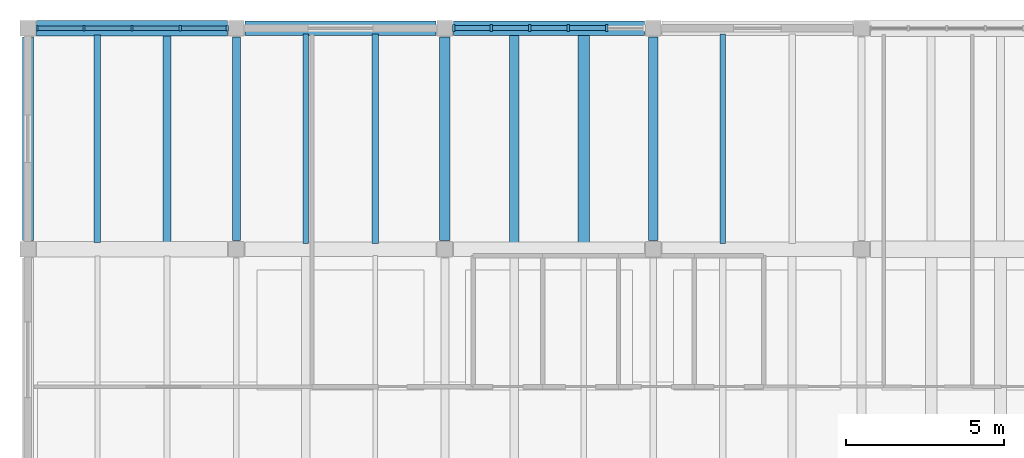
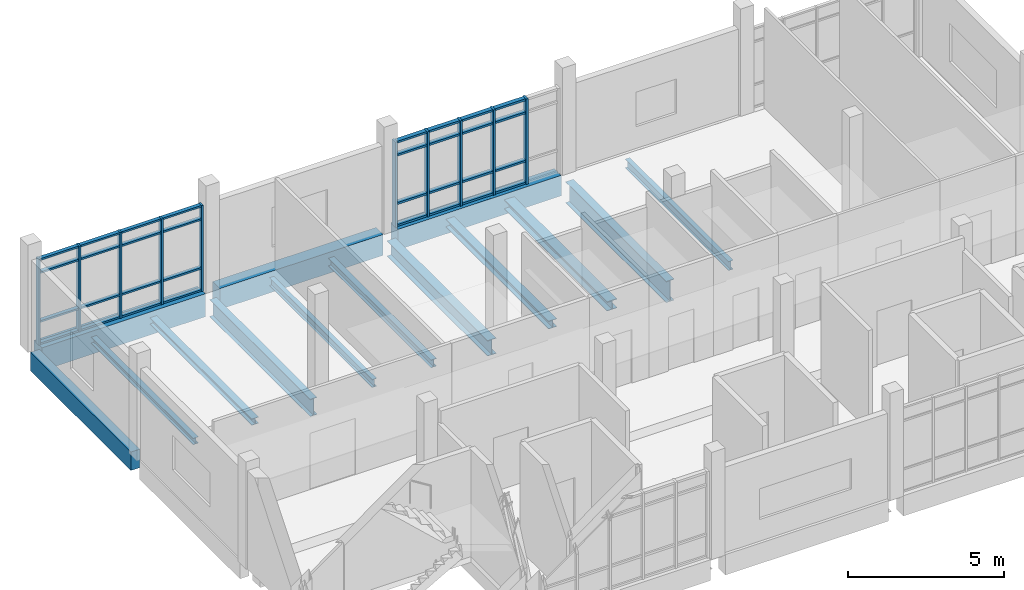
# One storey, part 3 of 10: 42 members, 14 beams, 2 elements without a shape of their own.
"""IFC4 building model written with IfcOpenShell, lengths in metres."""

import ifcopenshell
import ifcopenshell.guid

model = None  # the IFC model being written
_history = None  # IfcOwnerHistory: only IFC2X3 demands one
_inside = {}  # id of a spatial element -> (the spatial element, [elements in it])
_under = {}  # id of a project, library or spatial element -> (it, [spatial elements below it])
_declared = {}  # id of a project -> (the project, [libraries it declares])
_typed = {}  # id of a type object -> (the type object, [elements of that type])
_made_of = {}  # id of a material, layer set ... -> (it, [elements and type objects made of it])


def new_model(schema):
    """Start an empty IFC model of exactly this schema.

    Asked for "IFC4X3", IfcOpenShell would pick the latest addendum, in which some entities
    have other attributes; the version numbers below select the first issue.
    IFC2X3 requires an IfcOwnerHistory on every rooted entity: one is made here for all.
    """
    global model, _history
    if schema == "IFC4X3":
        model = ifcopenshell.file(schema_version=(4, 3, 0, 0))
    else:
        model = ifcopenshell.file(schema=schema)
    _inside.clear()
    _under.clear()
    _declared.clear()
    _typed.clear()
    _made_of.clear()
    _history = None
    if model.schema == "IFC2X3":
        org = make("IfcOrganization", Name="unknown")
        user = make(
            "IfcPersonAndOrganization",
            ThePerson=make("IfcPerson", FamilyName="unknown"),
            TheOrganization=org,
        )
        app = make(
            "IfcApplication",
            ApplicationDeveloper=org,
            Version="unknown",
            ApplicationFullName="unknown",
            ApplicationIdentifier="unknown",
        )
        _history = make(
            "IfcOwnerHistory",
            OwningUser=user,
            OwningApplication=app,
            ChangeAction="ADDED",
            CreationDate=0,
        )
    return model


def make(cls, **values):
    """One entity of the class cls with the attributes given. An attribute that is None is left unset."""
    return model.create_entity(
        cls, **{name: value for name, value in values.items() if value is not None}
    )


def rooted(cls, **values):
    """An entity with a GlobalId (a new one), such as an element, a storey or a relation."""
    return make(cls, GlobalId=ifcopenshell.guid.new(), OwnerHistory=_history, **values)


def si_unit(unit_type, name, prefix=None):
    """IfcSIUnit, for example si_unit("LENGTHUNIT", "METRE", prefix="MILLI")."""
    return make("IfcSIUnit", UnitType=unit_type, Prefix=prefix, Name=name)


def assignment(units):
    """IfcUnitAssignment: the units of a project."""
    return None if units is None else make("IfcUnitAssignment", Units=units)


def point(xyz):
    """IfcCartesianPoint."""
    return None if xyz is None else make("IfcCartesianPoint", Coordinates=xyz)


def direction(xyz):
    """IfcDirection."""
    return None if xyz is None else make("IfcDirection", DirectionRatios=xyz)


def frame(location, z_axis=None, x_axis=None):
    """IfcAxis2Placement3D, a coordinate frame: its origin and axes. An axis left out is left unset."""
    return make(
        "IfcAxis2Placement3D",
        Location=point(location),
        Axis=direction(z_axis),
        RefDirection=direction(x_axis),
    )


def frame_2d(location, x_axis=None):
    """IfcAxis2Placement2D, a coordinate frame in the plane: its origin and x axis."""
    return make(
        "IfcAxis2Placement2D", Location=point(location), RefDirection=direction(x_axis)
    )


def origin():
    """The frame at (0, 0, 0) with its axes left unset."""
    return frame((0.0, 0.0, 0.0))


def origin_2d():
    """The frame at (0, 0) in the plane with its x axis left unset."""
    return frame_2d((0.0, 0.0))


def place(relative_to, where):
    """IfcLocalPlacement: puts the frame where relative to a parent placement (None: the world)."""
    return make(
        "IfcLocalPlacement", PlacementRelTo=relative_to, RelativePlacement=where
    )


def context(
    kind, dimensions, precision=None, world=None, true_north=None, identifier=None
):
    """IfcGeometricRepresentationContext, for example the 3D "Model" context."""
    return make(
        "IfcGeometricRepresentationContext",
        ContextIdentifier=identifier,
        ContextType=kind,
        CoordinateSpaceDimension=dimensions,
        Precision=precision,
        WorldCoordinateSystem=world,
        TrueNorth=true_north,
    )


def subcontext(parent, identifier, kind, view, scale=None):
    """IfcGeometricRepresentationSubContext, for example "Body" below "Model"."""
    return make(
        "IfcGeometricRepresentationSubContext",
        ContextIdentifier=identifier,
        ContextType=kind,
        ParentContext=parent,
        TargetScale=scale,
        TargetView=view,
    )


def project(units=None, contexts=None):
    """IfcProject with its units and contexts."""
    return rooted(
        "IfcProject",
        Name="project",
        RepresentationContexts=contexts,
        UnitsInContext=assignment(units),
    )


def spatial(cls, under=None, at=None, **own):
    """A site, building, storey or space (cls), placed at a placement, below another one or the project."""
    s = rooted(cls, ObjectPlacement=at, **own)
    if under is not None:
        _under.setdefault(under.id(), (under, []))[1].append(s)
    return s


def profile(cls, at=None, kind="AREA", **sizes):
    """A parametric profile (cls). Its sizes go by their IFC names, for example OverallWidth=200.0."""
    return make(cls, ProfileType=kind, Position=at, **sizes)


def rectangle(**sizes):
    """IfcRectangleProfileDef."""
    return profile("IfcRectangleProfileDef", **sizes)


def i_section(**sizes):
    """IfcIShapeProfileDef."""
    return profile("IfcIShapeProfileDef", **sizes)


def extrude(swept, where, along, depth):
    """IfcExtrudedAreaSolid: the profile swept, set in the frame where, extruded along a direction by depth."""
    return make(
        "IfcExtrudedAreaSolid",
        SweptArea=swept,
        Position=where,
        ExtrudedDirection=direction(along),
        Depth=depth,
    )


def shape(context_of_items, identifier, shape_type, items):
    """IfcShapeRepresentation: the items that make up one representation, for example the "Body"."""
    return make(
        "IfcShapeRepresentation",
        ContextOfItems=context_of_items,
        RepresentationIdentifier=identifier,
        RepresentationType=shape_type,
        Items=items,
    )


def material(Name=None, Category=None):
    """IfcMaterial."""
    return make("IfcMaterial", Name=Name, Category=Category)


def material_profile(
    of_material, cross_section, Name=None, Category=None, Priority=None
):
    """IfcMaterialProfile: a cross section and its material."""
    return make(
        "IfcMaterialProfile",
        Name=Name,
        Material=of_material,
        Profile=cross_section,
        Priority=Priority,
        Category=Category,
    )


def profile_set(profiles, Name=None, composite=None):
    """IfcMaterialProfileSet."""
    return make(
        "IfcMaterialProfileSet",
        Name=Name,
        MaterialProfiles=profiles,
        CompositeProfile=composite,
    )


def made_of(thing, what):
    """Note that an element or type object is made of a material, layer set ...; save() writes the relation."""
    if what is not None:
        _made_of.setdefault(what.id(), (what, []))[1].append(thing)
    return thing


def type_object(cls, material=None, **own):
    """A type object (cls), such as IfcWallType, which elements share."""
    return made_of(rooted(cls, **own), material)


def element(
    cls,
    number,
    at=None,
    inside=None,
    cuts=None,
    type_object=None,
    material=None,
    context=None,
    identifier="Body",
    shape_type=None,
    held_by="IfcProductDefinitionShape",
    body=None,
    shapes=None,
    **own,
):
    """One element of the class cls, such as IfcWall. Its Tag is "e" and its number.

    at: its placement. inside: the storey or other place that contains it. cuts: it is an
    opening in that element (IfcRelVoidsElement). A single representation is given by context,
    identifier, shape_type and body (its items); several are given by shapes. held_by: the class
    of the entity that holds the representations. save() writes the other relations.
    """
    e = rooted(cls, Tag="e%d" % number, ObjectPlacement=at, **own)
    if body is not None:
        shapes = [shape(context, identifier, shape_type, body)]
    if shapes is not None:
        e.Representation = make(held_by, Representations=shapes)
    if inside is not None:
        _inside.setdefault(inside.id(), (inside, []))[1].append(e)
    if cuts is not None:
        rooted(
            "IfcRelVoidsElement", RelatingBuildingElement=cuts, RelatedOpeningElement=e
        )
    if type_object is not None:
        _typed.setdefault(type_object.id(), (type_object, []))[1].append(e)
    return made_of(e, material)


def aggregate(whole, parts):
    """IfcRelAggregates: a whole, such as a stair, and the parts it consists of."""
    return rooted("IfcRelAggregates", RelatingObject=whole, RelatedObjects=parts)


def save(model, path):
    """Write the relations noted so far, then the file.

    IfcRelAggregates (storeys below a building ...), IfcRelContainedInSpatialStructure (elements
    in a storey), IfcRelDefinesByType, IfcRelAssociatesMaterial and IfcRelDeclares: one each for
    every whole, place, type object, material and project.
    """
    for whole, parts in _under.values():
        aggregate(whole, parts)
    for where, things in _inside.values():
        rooted(
            "IfcRelContainedInSpatialStructure",
            RelatedElements=things,
            RelatingStructure=where,
        )
    for kind, things in _typed.values():
        rooted("IfcRelDefinesByType", RelatedObjects=things, RelatingType=kind)
    for what, things in _made_of.values():
        rooted("IfcRelAssociatesMaterial", RelatedObjects=things, RelatingMaterial=what)
    for by, libraries in _declared.values():
        rooted("IfcRelDeclares", RelatingContext=by, RelatedDefinitions=libraries)
    model.write(path)


model = new_model("IFC4")

# Units and contexts
model_context = context("Model", 3, precision=1e-05, world=origin(), true_north=direction((0.0, 1.0)))
body_context = subcontext(model_context, "Body", "Model", "MODEL_VIEW")
ifc_project = project(units=[si_unit("LENGTHUNIT", "METRE"), si_unit("AREAUNIT", "SQUARE_METRE"), si_unit("VOLUMEUNIT", "CUBIC_METRE"), si_unit("PLANEANGLEUNIT", "RADIAN"), si_unit("MASSUNIT", "GRAM", prefix="KILO")], contexts=[model_context])

# Site, building, storey
site_placement = place(None, origin())
site = spatial("IfcSite", under=ifc_project, at=site_placement, CompositionType="ELEMENT")
building_placement = place(site_placement, origin())
building = spatial("IfcBuilding", under=site, at=building_placement, Name="Ciguamira Faculty of Natural Sciences", CompositionType="ELEMENT")
storey_placement = place(building_placement, frame((0.0, 0.0, 42.0)))
storey = spatial("IfcBuildingStorey", under=building, at=storey_placement, Name="L10", CompositionType="ELEMENT", Elevation=42.0)

# Curtain wall, members
ifc_material_1 = material(Name="Anodized aluminium curtain wall", Category="aluminium")
curtain_wall_type_1 = type_object("IfcCurtainWallType", Name="CurtainWall_CW-11", PredefinedType="USERDEFINED", material=ifc_material_1)
curtain_wall_1_placement = place(storey_placement, origin())
curtain_wall_1 = element("IfcCurtainWall", 1, at=curtain_wall_1_placement, inside=storey, type_object=curtain_wall_type_1, Name="L10 unitised curtain wall 0167", ObjectType="UNITISED CURTAIN WALL", PredefinedType="USERDEFINED")
ifc_material_2 = material(Name="Anodized aluminium mullion", Category="aluminium")
ifc_material_profile_1 = material_profile(ifc_material_2, rectangle(XDim=0.070068359375, YDim=0.179931640625, at=origin_2d()), Name="ALU-MUL-70X180")
ifc_profile_set_1 = profile_set([ifc_material_profile_1], Name="Anodized aluminium mullion")
member_type_1 = type_object("IfcMemberType", Name="CWMullion_CWM-02", PredefinedType="MULLION", material=ifc_profile_set_1)
member_1_placement = place(storey_placement, frame((70.784912109375, 115.0, 0.0), z_axis=(0.0, 0.0, 1.0), x_axis=(1.0, 0.0, 0.0)))
member_1 = element("IfcMember", 2, at=member_1_placement, type_object=member_type_1, Name="CW-11 mullion 1", PredefinedType="MULLION", context=body_context, shape_type="SweptSolid", body=[
    extrude(rectangle(XDim=0.070068359375, YDim=0.179931640625, at=origin_2d()), origin(), (0.0, 0.0, 1.0), 3.364990234375),
])
member_2_placement = place(storey_placement, frame((72.27490234375, 115.0, 0.0), z_axis=(0.0, 0.0, 1.0), x_axis=(1.0, 0.0, 0.0)))
member_2 = element("IfcMember", 3, at=member_2_placement, type_object=member_type_1, Name="CW-11 mullion 2", PredefinedType="MULLION", context=body_context, shape_type="SweptSolid", body=[
    extrude(rectangle(XDim=0.070068359375, YDim=0.179931640625, at=origin_2d()), origin(), (0.0, 0.0, 1.0), 3.364990234375),
])
member_3_placement = place(storey_placement, frame((73.800048828125, 115.0, 0.0), z_axis=(0.0, 0.0, 1.0), x_axis=(1.0, 0.0, 0.0)))
member_3 = element("IfcMember", 4, at=member_3_placement, type_object=member_type_1, Name="CW-11 mullion 3", PredefinedType="MULLION", context=body_context, shape_type="SweptSolid", body=[
    extrude(rectangle(XDim=0.070068359375, YDim=0.179931640625, at=origin_2d()), origin(), (0.0, 0.0, 1.0), 3.364990234375),
])
member_4_placement = place(storey_placement, frame((75.324951171875, 115.0, 0.0), z_axis=(0.0, 0.0, 1.0), x_axis=(1.0, 0.0, 0.0)))
member_4 = element("IfcMember", 5, at=member_4_placement, type_object=member_type_1, Name="CW-11 mullion 4", PredefinedType="MULLION", context=body_context, shape_type="SweptSolid", body=[
    extrude(rectangle(XDim=0.070068359375, YDim=0.179931640625, at=origin_2d()), origin(), (0.0, 0.0, 1.0), 3.364990234375),
])
member_5_placement = place(storey_placement, frame((76.81494140625, 115.0, 0.0), z_axis=(0.0, 0.0, 1.0), x_axis=(1.0, 0.0, 0.0)))
member_5 = element("IfcMember", 6, at=member_5_placement, type_object=member_type_1, Name="CW-11 mullion 5", PredefinedType="MULLION", context=body_context, shape_type="SweptSolid", body=[
    extrude(rectangle(XDim=0.070068359375, YDim=0.179931640625, at=origin_2d()), origin(), (0.0, 0.0, 1.0), 3.364990234375),
])

curtain_wall_type_2 = type_object("IfcCurtainWallType", Name="CurtainWall_CW-12", PredefinedType="USERDEFINED", material=ifc_material_1)
curtain_wall_2_placement = place(storey_placement, origin())
curtain_wall_2 = element("IfcCurtainWall", 7, at=curtain_wall_2_placement, inside=storey, type_object=curtain_wall_type_2, Name="L10 unitised curtain wall 0168", ObjectType="UNITISED CURTAIN WALL", PredefinedType="USERDEFINED")
ifc_material_profile_2 = material_profile(ifc_material_2, rectangle(XDim=0.080078125, YDim=0.219970703125, at=origin_2d()), Name="ALU-MUL-80X220")
ifc_profile_set_2 = profile_set([ifc_material_profile_2], Name="Anodized aluminium mullion")
member_type_2 = type_object("IfcMemberType", Name="CWMullion_CWM-03", PredefinedType="MULLION", material=ifc_profile_set_2)
member_6_placement = place(storey_placement, frame((83.989990234375, 115.0, 0.0), z_axis=(0.0, 0.0, 1.0), x_axis=(1.0, 0.0, 0.0)))
member_6 = element("IfcMember", 8, at=member_6_placement, type_object=member_type_2, Name="CW-12 mullion 1", PredefinedType="MULLION", context=body_context, shape_type="SweptSolid", body=[
    extrude(rectangle(XDim=0.080078125, YDim=0.219970703125, at=origin_2d()), origin(), (0.0, 0.0, 1.0), 3.344970703125),
])
member_7_placement = place(storey_placement, frame((85.169921875, 115.0, 0.0), z_axis=(0.0, 0.0, 1.0), x_axis=(1.0, 0.0, 0.0)))
member_7 = element("IfcMember", 9, at=member_7_placement, type_object=member_type_2, Name="CW-12 mullion 2", PredefinedType="MULLION", context=body_context, shape_type="SweptSolid", body=[
    extrude(rectangle(XDim=0.080078125, YDim=0.219970703125, at=origin_2d()), origin(), (0.0, 0.0, 1.0), 3.344970703125),
])
member_8_placement = place(storey_placement, frame((86.389892578125, 115.0, 0.0), z_axis=(0.0, 0.0, 1.0), x_axis=(1.0, 0.0, 0.0)))
member_8 = element("IfcMember", 10, at=member_8_placement, type_object=member_type_2, Name="CW-12 mullion 3", PredefinedType="MULLION", context=body_context, shape_type="SweptSolid", body=[
    extrude(rectangle(XDim=0.080078125, YDim=0.219970703125, at=origin_2d()), origin(), (0.0, 0.0, 1.0), 3.344970703125),
])
member_9_placement = place(storey_placement, frame((87.610107421875, 115.0, 0.0), z_axis=(0.0, 0.0, 1.0), x_axis=(1.0, 0.0, 0.0)))
member_9 = element("IfcMember", 11, at=member_9_placement, type_object=member_type_2, Name="CW-12 mullion 4", PredefinedType="MULLION", context=body_context, shape_type="SweptSolid", body=[
    extrude(rectangle(XDim=0.080078125, YDim=0.219970703125, at=origin_2d()), origin(), (0.0, 0.0, 1.0), 3.344970703125),
])
member_10_placement = place(storey_placement, frame((88.830078125, 115.0, 0.0), z_axis=(0.0, 0.0, 1.0), x_axis=(1.0, 0.0, 0.0)))
member_10 = element("IfcMember", 12, at=member_10_placement, type_object=member_type_2, Name="CW-12 mullion 5", PredefinedType="MULLION", context=body_context, shape_type="SweptSolid", body=[
    extrude(rectangle(XDim=0.080078125, YDim=0.219970703125, at=origin_2d()), origin(), (0.0, 0.0, 1.0), 3.344970703125),
])

# Member
ifc_material_3 = material(Name="Anodized aluminium transom", Category="aluminium")
ifc_material_profile_3 = material_profile(ifc_material_3, rectangle(XDim=0.070068359375, YDim=0.139892578125, at=origin_2d()), Name="ALU-TRN-70X140")
ifc_profile_set_3 = profile_set([ifc_material_profile_3], Name="Anodized aluminium transom")
member_type_3 = type_object("IfcMemberType", Name="CWTransom_CWT-02", PredefinedType="USERDEFINED", material=ifc_profile_set_3)
member_11_placement = place(storey_placement, frame((70.820068359375, 115.0, 0.034912109375), z_axis=(1.0, 0.0, 0.0), x_axis=(0.0, 0.0, 1.0)))
member_11 = element("IfcMember", 13, at=member_11_placement, type_object=member_type_3, Name="CW-11 transom 1.1", ObjectType="TRANSOM", PredefinedType="USERDEFINED", context=body_context, shape_type="SweptSolid", body=[
    extrude(rectangle(XDim=0.070068359375, YDim=0.139892578125, at=origin_2d()), origin(), (0.0, 0.0, 1.0), 1.419921875),
])

member_12_placement = place(storey_placement, frame((70.820068359375, 115.0, 0.89990234375), z_axis=(1.0, 0.0, 0.0), x_axis=(0.0, 0.0, 1.0)))
member_12 = element("IfcMember", 14, at=member_12_placement, type_object=member_type_3, Name="CW-11 transom 1.2", ObjectType="TRANSOM", PredefinedType="USERDEFINED", context=body_context, shape_type="SweptSolid", body=[
    extrude(rectangle(XDim=0.070068359375, YDim=0.139892578125, at=origin_2d()), origin(), (0.0, 0.0, 1.0), 1.419921875),
])

member_13_placement = place(storey_placement, frame((70.820068359375, 115.0, 2.81494140625), z_axis=(1.0, 0.0, 0.0), x_axis=(0.0, 0.0, 1.0)))
member_13 = element("IfcMember", 15, at=member_13_placement, type_object=member_type_3, Name="CW-11 transom 1.3", ObjectType="TRANSOM", PredefinedType="USERDEFINED", context=body_context, shape_type="SweptSolid", body=[
    extrude(rectangle(XDim=0.070068359375, YDim=0.139892578125, at=origin_2d()), origin(), (0.0, 0.0, 1.0), 1.419921875),
])

member_14_placement = place(storey_placement, frame((70.820068359375, 115.0, 3.330078125), z_axis=(1.0, 0.0, 0.0), x_axis=(0.0, 0.0, 1.0)))
member_14 = element("IfcMember", 16, at=member_14_placement, type_object=member_type_3, Name="CW-11 transom 1.4", ObjectType="TRANSOM", PredefinedType="USERDEFINED", context=body_context, shape_type="SweptSolid", body=[
    extrude(rectangle(XDim=0.070068359375, YDim=0.139892578125, at=origin_2d()), origin(), (0.0, 0.0, 1.0), 1.419921875),
])

member_15_placement = place(storey_placement, frame((72.31005859375, 115.0, 0.034912109375), z_axis=(1.0, 0.0, 0.0), x_axis=(0.0, 0.0, 1.0)))
member_15 = element("IfcMember", 17, at=member_15_placement, type_object=member_type_3, Name="CW-11 transom 2.1", ObjectType="TRANSOM", PredefinedType="USERDEFINED", context=body_context, shape_type="SweptSolid", body=[
    extrude(rectangle(XDim=0.070068359375, YDim=0.139892578125, at=origin_2d()), origin(), (0.0, 0.0, 1.0), 1.454833984375),
])

member_16_placement = place(storey_placement, frame((72.31005859375, 115.0, 0.89990234375), z_axis=(1.0, 0.0, 0.0), x_axis=(0.0, 0.0, 1.0)))
member_16 = element("IfcMember", 18, at=member_16_placement, type_object=member_type_3, Name="CW-11 transom 2.2", ObjectType="TRANSOM", PredefinedType="USERDEFINED", context=body_context, shape_type="SweptSolid", body=[
    extrude(rectangle(XDim=0.070068359375, YDim=0.139892578125, at=origin_2d()), origin(), (0.0, 0.0, 1.0), 1.454833984375),
])

member_17_placement = place(storey_placement, frame((72.31005859375, 115.0, 2.81494140625), z_axis=(1.0, 0.0, 0.0), x_axis=(0.0, 0.0, 1.0)))
member_17 = element("IfcMember", 19, at=member_17_placement, type_object=member_type_3, Name="CW-11 transom 2.3", ObjectType="TRANSOM", PredefinedType="USERDEFINED", context=body_context, shape_type="SweptSolid", body=[
    extrude(rectangle(XDim=0.070068359375, YDim=0.139892578125, at=origin_2d()), origin(), (0.0, 0.0, 1.0), 1.454833984375),
])

member_18_placement = place(storey_placement, frame((72.31005859375, 115.0, 3.330078125), z_axis=(1.0, 0.0, 0.0), x_axis=(0.0, 0.0, 1.0)))
member_18 = element("IfcMember", 20, at=member_18_placement, type_object=member_type_3, Name="CW-11 transom 2.4", ObjectType="TRANSOM", PredefinedType="USERDEFINED", context=body_context, shape_type="SweptSolid", body=[
    extrude(rectangle(XDim=0.070068359375, YDim=0.139892578125, at=origin_2d()), origin(), (0.0, 0.0, 1.0), 1.454833984375),
])

member_19_placement = place(storey_placement, frame((73.8349609375, 115.0, 0.034912109375), z_axis=(1.0, 0.0, 0.0), x_axis=(0.0, 0.0, 1.0)))
member_19 = element("IfcMember", 21, at=member_19_placement, type_object=member_type_3, Name="CW-11 transom 3.1", ObjectType="TRANSOM", PredefinedType="USERDEFINED", context=body_context, shape_type="SweptSolid", body=[
    extrude(rectangle(XDim=0.070068359375, YDim=0.139892578125, at=origin_2d()), origin(), (0.0, 0.0, 1.0), 1.455078125),
])

member_20_placement = place(storey_placement, frame((73.8349609375, 115.0, 0.89990234375), z_axis=(1.0, 0.0, 0.0), x_axis=(0.0, 0.0, 1.0)))
member_20 = element("IfcMember", 22, at=member_20_placement, type_object=member_type_3, Name="CW-11 transom 3.2", ObjectType="TRANSOM", PredefinedType="USERDEFINED", context=body_context, shape_type="SweptSolid", body=[
    extrude(rectangle(XDim=0.070068359375, YDim=0.139892578125, at=origin_2d()), origin(), (0.0, 0.0, 1.0), 1.455078125),
])

member_21_placement = place(storey_placement, frame((73.8349609375, 115.0, 2.81494140625), z_axis=(1.0, 0.0, 0.0), x_axis=(0.0, 0.0, 1.0)))
member_21 = element("IfcMember", 23, at=member_21_placement, type_object=member_type_3, Name="CW-11 transom 3.3", ObjectType="TRANSOM", PredefinedType="USERDEFINED", context=body_context, shape_type="SweptSolid", body=[
    extrude(rectangle(XDim=0.070068359375, YDim=0.139892578125, at=origin_2d()), origin(), (0.0, 0.0, 1.0), 1.455078125),
])

member_22_placement = place(storey_placement, frame((73.8349609375, 115.0, 3.330078125), z_axis=(1.0, 0.0, 0.0), x_axis=(0.0, 0.0, 1.0)))
member_22 = element("IfcMember", 24, at=member_22_placement, type_object=member_type_3, Name="CW-11 transom 3.4", ObjectType="TRANSOM", PredefinedType="USERDEFINED", context=body_context, shape_type="SweptSolid", body=[
    extrude(rectangle(XDim=0.070068359375, YDim=0.139892578125, at=origin_2d()), origin(), (0.0, 0.0, 1.0), 1.455078125),
])

member_23_placement = place(storey_placement, frame((75.360107421875, 115.0, 0.034912109375), z_axis=(1.0, 0.0, 0.0), x_axis=(0.0, 0.0, 1.0)))
member_23 = element("IfcMember", 25, at=member_23_placement, type_object=member_type_3, Name="CW-11 transom 4.1", ObjectType="TRANSOM", PredefinedType="USERDEFINED", context=body_context, shape_type="SweptSolid", body=[
    extrude(rectangle(XDim=0.070068359375, YDim=0.139892578125, at=origin_2d()), origin(), (0.0, 0.0, 1.0), 1.419921875),
])

member_24_placement = place(storey_placement, frame((75.360107421875, 115.0, 0.89990234375), z_axis=(1.0, 0.0, 0.0), x_axis=(0.0, 0.0, 1.0)))
member_24 = element("IfcMember", 26, at=member_24_placement, type_object=member_type_3, Name="CW-11 transom 4.2", ObjectType="TRANSOM", PredefinedType="USERDEFINED", context=body_context, shape_type="SweptSolid", body=[
    extrude(rectangle(XDim=0.070068359375, YDim=0.139892578125, at=origin_2d()), origin(), (0.0, 0.0, 1.0), 1.419921875),
])

member_25_placement = place(storey_placement, frame((75.360107421875, 115.0, 2.81494140625), z_axis=(1.0, 0.0, 0.0), x_axis=(0.0, 0.0, 1.0)))
member_25 = element("IfcMember", 27, at=member_25_placement, type_object=member_type_3, Name="CW-11 transom 4.3", ObjectType="TRANSOM", PredefinedType="USERDEFINED", context=body_context, shape_type="SweptSolid", body=[
    extrude(rectangle(XDim=0.070068359375, YDim=0.139892578125, at=origin_2d()), origin(), (0.0, 0.0, 1.0), 1.419921875),
])

member_26_placement = place(storey_placement, frame((75.360107421875, 115.0, 3.330078125), z_axis=(1.0, 0.0, 0.0), x_axis=(0.0, 0.0, 1.0)))
member_26 = element("IfcMember", 28, at=member_26_placement, type_object=member_type_3, Name="CW-11 transom 4.4", ObjectType="TRANSOM", PredefinedType="USERDEFINED", context=body_context, shape_type="SweptSolid", body=[
    extrude(rectangle(XDim=0.070068359375, YDim=0.139892578125, at=origin_2d()), origin(), (0.0, 0.0, 1.0), 1.419921875),
])

aggregate(curtain_wall_1, [member_1, member_2, member_3, member_4, member_5, member_11, member_12, member_13, member_14, member_15, member_16, member_17, member_18, member_19, member_20, member_21, member_22, member_23, member_24, member_25, member_26])

ifc_material_profile_4 = material_profile(ifc_material_3, rectangle(XDim=0.080078125, YDim=0.159912109375, at=origin_2d()), Name="ALU-TRN-80X160")
ifc_profile_set_4 = profile_set([ifc_material_profile_4], Name="Anodized aluminium transom")
member_type_4 = type_object("IfcMemberType", Name="CWTransom_CWT-03", PredefinedType="USERDEFINED", material=ifc_profile_set_4)
member_27_placement = place(storey_placement, frame((84.030029296875, 115.0, 0.0400390625), z_axis=(1.0, 0.0, 0.0), x_axis=(0.0, 0.0, 1.0)))
member_27 = element("IfcMember", 29, at=member_27_placement, type_object=member_type_4, Name="CW-12 transom 1.1", ObjectType="TRANSOM", PredefinedType="USERDEFINED", context=body_context, shape_type="SweptSolid", body=[
    extrude(rectangle(XDim=0.080078125, YDim=0.159912109375, at=origin_2d()), origin(), (0.0, 0.0, 1.0), 1.099853515625),
])

member_28_placement = place(storey_placement, frame((84.030029296875, 115.0, 0.89990234375), z_axis=(1.0, 0.0, 0.0), x_axis=(0.0, 0.0, 1.0)))
member_28 = element("IfcMember", 30, at=member_28_placement, type_object=member_type_4, Name="CW-12 transom 1.2", ObjectType="TRANSOM", PredefinedType="USERDEFINED", context=body_context, shape_type="SweptSolid", body=[
    extrude(rectangle(XDim=0.080078125, YDim=0.159912109375, at=origin_2d()), origin(), (0.0, 0.0, 1.0), 1.099853515625),
])

member_29_placement = place(storey_placement, frame((84.030029296875, 115.0, 2.794921875), z_axis=(1.0, 0.0, 0.0), x_axis=(0.0, 0.0, 1.0)))
member_29 = element("IfcMember", 31, at=member_29_placement, type_object=member_type_4, Name="CW-12 transom 1.3", ObjectType="TRANSOM", PredefinedType="USERDEFINED", context=body_context, shape_type="SweptSolid", body=[
    extrude(rectangle(XDim=0.080078125, YDim=0.159912109375, at=origin_2d()), origin(), (0.0, 0.0, 1.0), 1.099853515625),
])

member_30_placement = place(storey_placement, frame((84.030029296875, 115.0, 3.304931640625), z_axis=(1.0, 0.0, 0.0), x_axis=(0.0, 0.0, 1.0)))
member_30 = element("IfcMember", 32, at=member_30_placement, type_object=member_type_4, Name="CW-12 transom 1.4", ObjectType="TRANSOM", PredefinedType="USERDEFINED", context=body_context, shape_type="SweptSolid", body=[
    extrude(rectangle(XDim=0.080078125, YDim=0.159912109375, at=origin_2d()), origin(), (0.0, 0.0, 1.0), 1.099853515625),
])

member_31_placement = place(storey_placement, frame((85.2099609375, 115.0, 0.0400390625), z_axis=(1.0, 0.0, 0.0), x_axis=(0.0, 0.0, 1.0)))
member_31 = element("IfcMember", 33, at=member_31_placement, type_object=member_type_4, Name="CW-12 transom 2.1", ObjectType="TRANSOM", PredefinedType="USERDEFINED", context=body_context, shape_type="SweptSolid", body=[
    extrude(rectangle(XDim=0.080078125, YDim=0.159912109375, at=origin_2d()), origin(), (0.0, 0.0, 1.0), 1.14013671875),
])

member_32_placement = place(storey_placement, frame((85.2099609375, 115.0, 0.89990234375), z_axis=(1.0, 0.0, 0.0), x_axis=(0.0, 0.0, 1.0)))
member_32 = element("IfcMember", 34, at=member_32_placement, type_object=member_type_4, Name="CW-12 transom 2.2", ObjectType="TRANSOM", PredefinedType="USERDEFINED", context=body_context, shape_type="SweptSolid", body=[
    extrude(rectangle(XDim=0.080078125, YDim=0.159912109375, at=origin_2d()), origin(), (0.0, 0.0, 1.0), 1.14013671875),
])

member_33_placement = place(storey_placement, frame((85.2099609375, 115.0, 2.794921875), z_axis=(1.0, 0.0, 0.0), x_axis=(0.0, 0.0, 1.0)))
member_33 = element("IfcMember", 35, at=member_33_placement, type_object=member_type_4, Name="CW-12 transom 2.3", ObjectType="TRANSOM", PredefinedType="USERDEFINED", context=body_context, shape_type="SweptSolid", body=[
    extrude(rectangle(XDim=0.080078125, YDim=0.159912109375, at=origin_2d()), origin(), (0.0, 0.0, 1.0), 1.14013671875),
])

member_34_placement = place(storey_placement, frame((85.2099609375, 115.0, 3.304931640625), z_axis=(1.0, 0.0, 0.0), x_axis=(0.0, 0.0, 1.0)))
member_34 = element("IfcMember", 36, at=member_34_placement, type_object=member_type_4, Name="CW-12 transom 2.4", ObjectType="TRANSOM", PredefinedType="USERDEFINED", context=body_context, shape_type="SweptSolid", body=[
    extrude(rectangle(XDim=0.080078125, YDim=0.159912109375, at=origin_2d()), origin(), (0.0, 0.0, 1.0), 1.14013671875),
])

member_35_placement = place(storey_placement, frame((86.429931640625, 115.0, 0.0400390625), z_axis=(1.0, 0.0, 0.0), x_axis=(0.0, 0.0, 1.0)))
member_35 = element("IfcMember", 37, at=member_35_placement, type_object=member_type_4, Name="CW-12 transom 3.1", ObjectType="TRANSOM", PredefinedType="USERDEFINED", context=body_context, shape_type="SweptSolid", body=[
    extrude(rectangle(XDim=0.080078125, YDim=0.159912109375, at=origin_2d()), origin(), (0.0, 0.0, 1.0), 1.14013671875),
])

member_36_placement = place(storey_placement, frame((86.429931640625, 115.0, 0.89990234375), z_axis=(1.0, 0.0, 0.0), x_axis=(0.0, 0.0, 1.0)))
member_36 = element("IfcMember", 38, at=member_36_placement, type_object=member_type_4, Name="CW-12 transom 3.2", ObjectType="TRANSOM", PredefinedType="USERDEFINED", context=body_context, shape_type="SweptSolid", body=[
    extrude(rectangle(XDim=0.080078125, YDim=0.159912109375, at=origin_2d()), origin(), (0.0, 0.0, 1.0), 1.14013671875),
])

member_37_placement = place(storey_placement, frame((86.429931640625, 115.0, 2.794921875), z_axis=(1.0, 0.0, 0.0), x_axis=(0.0, 0.0, 1.0)))
member_37 = element("IfcMember", 39, at=member_37_placement, type_object=member_type_4, Name="CW-12 transom 3.3", ObjectType="TRANSOM", PredefinedType="USERDEFINED", context=body_context, shape_type="SweptSolid", body=[
    extrude(rectangle(XDim=0.080078125, YDim=0.159912109375, at=origin_2d()), origin(), (0.0, 0.0, 1.0), 1.14013671875),
])

member_38_placement = place(storey_placement, frame((86.429931640625, 115.0, 3.304931640625), z_axis=(1.0, 0.0, 0.0), x_axis=(0.0, 0.0, 1.0)))
member_38 = element("IfcMember", 40, at=member_38_placement, type_object=member_type_4, Name="CW-12 transom 3.4", ObjectType="TRANSOM", PredefinedType="USERDEFINED", context=body_context, shape_type="SweptSolid", body=[
    extrude(rectangle(XDim=0.080078125, YDim=0.159912109375, at=origin_2d()), origin(), (0.0, 0.0, 1.0), 1.14013671875),
])

member_39_placement = place(storey_placement, frame((87.64990234375, 115.0, 0.0400390625), z_axis=(1.0, 0.0, 0.0), x_axis=(0.0, 0.0, 1.0)))
member_39 = element("IfcMember", 41, at=member_39_placement, type_object=member_type_4, Name="CW-12 transom 4.1", ObjectType="TRANSOM", PredefinedType="USERDEFINED", context=body_context, shape_type="SweptSolid", body=[
    extrude(rectangle(XDim=0.080078125, YDim=0.159912109375, at=origin_2d()), origin(), (0.0, 0.0, 1.0), 1.14013671875),
])

member_40_placement = place(storey_placement, frame((87.64990234375, 115.0, 0.89990234375), z_axis=(1.0, 0.0, 0.0), x_axis=(0.0, 0.0, 1.0)))
member_40 = element("IfcMember", 42, at=member_40_placement, type_object=member_type_4, Name="CW-12 transom 4.2", ObjectType="TRANSOM", PredefinedType="USERDEFINED", context=body_context, shape_type="SweptSolid", body=[
    extrude(rectangle(XDim=0.080078125, YDim=0.159912109375, at=origin_2d()), origin(), (0.0, 0.0, 1.0), 1.14013671875),
])

member_41_placement = place(storey_placement, frame((87.64990234375, 115.0, 2.794921875), z_axis=(1.0, 0.0, 0.0), x_axis=(0.0, 0.0, 1.0)))
member_41 = element("IfcMember", 43, at=member_41_placement, type_object=member_type_4, Name="CW-12 transom 4.3", ObjectType="TRANSOM", PredefinedType="USERDEFINED", context=body_context, shape_type="SweptSolid", body=[
    extrude(rectangle(XDim=0.080078125, YDim=0.159912109375, at=origin_2d()), origin(), (0.0, 0.0, 1.0), 1.14013671875),
])

member_42_placement = place(storey_placement, frame((87.64990234375, 115.0, 3.304931640625), z_axis=(1.0, 0.0, 0.0), x_axis=(0.0, 0.0, 1.0)))
member_42 = element("IfcMember", 44, at=member_42_placement, type_object=member_type_4, Name="CW-12 transom 4.4", ObjectType="TRANSOM", PredefinedType="USERDEFINED", context=body_context, shape_type="SweptSolid", body=[
    extrude(rectangle(XDim=0.080078125, YDim=0.159912109375, at=origin_2d()), origin(), (0.0, 0.0, 1.0), 1.14013671875),
])

aggregate(curtain_wall_2, [member_6, member_7, member_8, member_9, member_10, member_27, member_28, member_29, member_30, member_31, member_32, member_33, member_34, member_35, member_36, member_37, member_38, member_39, member_40, member_41, member_42])

# Beams
ifc_material_4 = material(Name="Concrete C40/50", Category="concrete")
ifc_material_profile_5 = material_profile(ifc_material_4, rectangle(XDim=0.5, YDim=0.89990234375, at=origin_2d()), Name="RC-BM-500X900")
ifc_profile_set_5 = profile_set([ifc_material_profile_5], Name="Concrete C40/50")
beam_type_1 = type_object("IfcBeamType", Name="RCBeam_BG-03_RC-BM-500X900", PredefinedType="BEAM", material=ifc_profile_set_5)
beam_1_placement = place(storey_placement, frame((70.77490234375, 115.0, -0.449951171875), z_axis=(1.0, 0.0, 0.0), x_axis=(0.0, 1.0, 0.0)))
element("IfcBeam", 45, at=beam_1_placement, inside=storey, type_object=beam_type_1, Name="L10 RC girder EW-1689", PredefinedType="BEAM", context=body_context, shape_type="SweptSolid", body=[
    extrude(rectangle(XDim=0.5, YDim=0.89990234375, at=origin_2d()), origin(), (0.0, 0.0, 1.0), 6.050048828125),
])
ifc_material_profile_6 = material_profile(ifc_material_4, rectangle(XDim=0.4599609375, YDim=0.820068359375, at=origin_2d()), Name="RC-BM-460X820")
ifc_profile_set_6 = profile_set([ifc_material_profile_6], Name="Concrete C40/50")
beam_type_2 = type_object("IfcBeamType", Name="RCBeam_BG-04_RC-BM-460X820", PredefinedType="BEAM", material=ifc_profile_set_6)
beam_2_placement = place(storey_placement, frame((77.375, 115.0, -0.409912109375), z_axis=(1.0, 0.0, 0.0), x_axis=(0.0, 1.0, 0.0)))
element("IfcBeam", 46, at=beam_2_placement, inside=storey, type_object=beam_type_2, Name="L10 RC girder EW-1690", PredefinedType="BEAM", context=body_context, shape_type="SweptSolid", body=[
    extrude(rectangle(XDim=0.4599609375, YDim=0.820068359375, at=origin_2d()), origin(), (0.0, 0.0, 1.0), 6.050048828125),
])
ifc_material_profile_7 = material_profile(ifc_material_4, rectangle(XDim=0.449951171875, YDim=0.800048828125, at=origin_2d()), Name="RC-BM-450X800")
ifc_profile_set_7 = profile_set([ifc_material_profile_7], Name="Concrete C40/50")
beam_type_3 = type_object("IfcBeamType", Name="RCBeam_BG-05_RC-BM-450X800", PredefinedType="BEAM", material=ifc_profile_set_7)
beam_3_placement = place(storey_placement, frame((83.97509765625, 115.0, -0.39990234375), z_axis=(1.0, 0.0, 0.0), x_axis=(0.0, 1.0, 0.0)))
element("IfcBeam", 47, at=beam_3_placement, inside=storey, type_object=beam_type_3, Name="L10 RC girder EW-1691", PredefinedType="BEAM", context=body_context, shape_type="SweptSolid", body=[
    extrude(rectangle(XDim=0.449951171875, YDim=0.800048828125, at=origin_2d()), origin(), (0.0, 0.0, 1.0), 6.0498046875),
])
ifc_material_5 = material(Name="Precast concrete C40/50", Category="concrete")
ifc_material_profile_8 = material_profile(ifc_material_5, rectangle(XDim=0.340087890625, YDim=0.719970703125, at=origin_2d()), Name="RC-SP-340X720")
ifc_profile_set_8 = profile_set([ifc_material_profile_8], Name="Precast concrete C40/50")
beam_type_4 = type_object("IfcBeamType", Name="RCBeam_SP-03_RC-SP-340X720", PredefinedType="SPANDREL", material=ifc_profile_set_8)
beam_4_placement = place(storey_placement, frame((70.5, 108.27490234375, -0.360107421875), z_axis=(0.0, 1.0, 0.0), x_axis=(-1.0, 0.0, 0.0)))
element("IfcBeam", 48, at=beam_4_placement, inside=storey, type_object=beam_type_4, Name="L10 girder NS-1695", PredefinedType="SPANDREL", context=body_context, shape_type="SweptSolid", body=[
    extrude(rectangle(XDim=0.340087890625, YDim=0.719970703125, at=origin_2d()), origin(), (0.0, 0.0, 1.0), 6.4501953125),
])
ifc_material_6 = material(Name="Steel ASTM A992 Grade 50", Category="steel")
ifc_material_profile_9 = material_profile(ifc_material_6, i_section(OverallWidth=0.3251953125, OverallDepth=0.612060546875, WebThickness=0.0126953125, FlangeThickness=0.01904296875, at=origin_2d()), Name="W24X104")
ifc_profile_set_9 = profile_set([ifc_material_profile_9], Name="Steel ASTM A992 Grade 50")
beam_type_5 = type_object("IfcBeamType", Name="SteelGirder_SB-30_W24X104", PredefinedType="BEAM", material=ifc_profile_set_9)
beam_5_placement = place(storey_placement, frame((83.699951171875, 108.27490234375, -0.566162109375), z_axis=(0.0, 1.0, 0.0), x_axis=(-1.0, 0.0, 0.0)))
element("IfcBeam", 49, at=beam_5_placement, inside=storey, type_object=beam_type_5, Name="L10 girder NS-1700", PredefinedType="BEAM", context=body_context, shape_type="SweptSolid", body=[
    extrude(i_section(OverallWidth=0.3251953125, OverallDepth=0.612060546875, WebThickness=0.0126953125, FlangeThickness=0.01904296875, at=origin_2d()), origin(), (0.0, 0.0, 1.0), 6.4501953125),
])
ifc_material_profile_10 = material_profile(ifc_material_6, i_section(OverallWidth=0.25390625, OverallDepth=0.67822265625, WebThickness=0.01171875, FlangeThickness=0.016357421875, at=origin_2d()), Name="W27X84")
ifc_profile_set_10 = profile_set([ifc_material_profile_10], Name="Steel ASTM A992 Grade 50")
beam_type_6 = type_object("IfcBeamType", Name="SteelGirder_SB-34_W27X84", PredefinedType="BEAM", material=ifc_profile_set_10)
beam_6_placement = place(storey_placement, frame((77.10009765625, 108.27490234375, -0.59912109375), z_axis=(0.0, 1.0, 0.0), x_axis=(-1.0, 0.0, 0.0)))
element("IfcBeam", 50, at=beam_6_placement, inside=storey, type_object=beam_type_6, Name="L10 girder NS-1697", PredefinedType="BEAM", context=body_context, shape_type="SweptSolid", body=[
    extrude(i_section(OverallWidth=0.25390625, OverallDepth=0.67822265625, WebThickness=0.01171875, FlangeThickness=0.016357421875, at=origin_2d()), origin(), (0.0, 0.0, 1.0), 6.4501953125),
])
ifc_material_profile_11 = material_profile(ifc_material_6, i_section(OverallWidth=0.2919921875, OverallDepth=0.835693359375, WebThickness=0.013916015625, FlangeThickness=0.018798828125, at=origin_2d()), Name="W33X118")
ifc_profile_set_11 = profile_set([ifc_material_profile_11], Name="Steel ASTM A992 Grade 50")
beam_type_7 = type_object("IfcBeamType", Name="SteelGirder_SB-36_W33X118", PredefinedType="BEAM", material=ifc_profile_set_11)
beam_7_placement = place(storey_placement, frame((90.300048828125, 108.27490234375, -0.677734375), z_axis=(0.0, 1.0, 0.0), x_axis=(-1.0, 0.0, 0.0)))
element("IfcBeam", 51, at=beam_7_placement, inside=storey, type_object=beam_type_7, Name="L10 girder NS-1703", PredefinedType="BEAM", context=body_context, shape_type="SweptSolid", body=[
    extrude(i_section(OverallWidth=0.2919921875, OverallDepth=0.835693359375, WebThickness=0.013916015625, FlangeThickness=0.018798828125, at=origin_2d()), origin(), (0.0, 0.0, 1.0), 6.4501953125),
])
ifc_material_profile_12 = material_profile(ifc_material_6, i_section(OverallWidth=0.2021484375, OverallDepth=0.2470703125, WebThickness=0.00732421875, FlangeThickness=0.010986328125, at=origin_2d()), Name="W10X33")
ifc_profile_set_12 = profile_set([ifc_material_profile_12], Name="Steel ASTM A992 Grade 50")
beam_type_8 = type_object("IfcBeamType", Name="SteelJoist_SJ-02_W10X33", PredefinedType="JOIST", material=ifc_profile_set_12)
beam_8_placement = place(storey_placement, frame((72.699951171875, 108.2099609375, -0.343505859375), z_axis=(0.0, 1.0, 0.0), x_axis=(-1.0, 0.0, 0.0)))
element("IfcBeam", 52, at=beam_8_placement, inside=storey, type_object=beam_type_8, Name="L10 composite steel joist 01508", PredefinedType="JOIST", context=body_context, shape_type="SweptSolid", body=[
    extrude(i_section(OverallWidth=0.2021484375, OverallDepth=0.2470703125, WebThickness=0.00732421875, FlangeThickness=0.010986328125, at=origin_2d()), origin(), (0.0, 0.0, 1.0), 6.580078125),
])
ifc_material_profile_13 = material_profile(ifc_material_6, i_section(OverallWidth=0.25390625, OverallDepth=0.25390625, WebThickness=0.008544921875, FlangeThickness=0.01416015625, at=origin_2d()), Name="W10X49")
ifc_profile_set_13 = profile_set([ifc_material_profile_13], Name="Steel ASTM A992 Grade 50")
beam_type_9 = type_object("IfcBeamType", Name="SteelJoist_SJ-03_W10X49", PredefinedType="JOIST", material=ifc_profile_set_13)
beam_9_placement = place(storey_placement, frame((74.89990234375, 108.2099609375, -0.346923828125), z_axis=(0.0, 1.0, 0.0), x_axis=(-1.0, 0.0, 0.0)))
element("IfcBeam", 53, at=beam_9_placement, inside=storey, type_object=beam_type_9, Name="L10 composite steel joist 01509", PredefinedType="JOIST", context=body_context, shape_type="SweptSolid", body=[
    extrude(i_section(OverallWidth=0.25390625, OverallDepth=0.25390625, WebThickness=0.008544921875, FlangeThickness=0.01416015625, at=origin_2d()), origin(), (0.0, 0.0, 1.0), 6.580078125),
])
ifc_material_profile_14 = material_profile(ifc_material_6, i_section(OverallWidth=0.16650390625, OverallDepth=0.3173828125, WebThickness=0.007568359375, FlangeThickness=0.01318359375, at=origin_2d()), Name="W12X35")
ifc_profile_set_14 = profile_set([ifc_material_profile_14], Name="Steel ASTM A992 Grade 50")
beam_type_10 = type_object("IfcBeamType", Name="SteelJoist_SJ-05_W12X35", PredefinedType="JOIST", material=ifc_profile_set_14)
beam_10_placement = place(storey_placement, frame((79.300048828125, 108.18994140625, -0.378662109375), z_axis=(0.0, 1.0, 0.0), x_axis=(-1.0, 0.0, 0.0)))
element("IfcBeam", 54, at=beam_10_placement, inside=storey, type_object=beam_type_10, Name="L10 composite steel joist 01513", PredefinedType="JOIST", context=body_context, shape_type="SweptSolid", body=[
    extrude(i_section(OverallWidth=0.16650390625, OverallDepth=0.3173828125, WebThickness=0.007568359375, FlangeThickness=0.01318359375, at=origin_2d()), origin(), (0.0, 0.0, 1.0), 6.6201171875),
])
ifc_material_profile_15 = material_profile(ifc_material_6, i_section(OverallWidth=0.20458984375, OverallDepth=0.307373046875, WebThickness=0.008544921875, FlangeThickness=0.0146484375, at=origin_2d()), Name="W12X45")
ifc_profile_set_15 = profile_set([ifc_material_profile_15], Name="Steel ASTM A992 Grade 50")
beam_type_11 = type_object("IfcBeamType", Name="SteelJoist_SJ-06_W12X45", PredefinedType="JOIST", material=ifc_profile_set_15)
beam_11_placement = place(storey_placement, frame((81.5, 108.18994140625, -0.373779296875), z_axis=(0.0, 1.0, 0.0), x_axis=(-1.0, 0.0, 0.0)))
element("IfcBeam", 55, at=beam_11_placement, inside=storey, type_object=beam_type_11, Name="L10 composite steel joist 01514", PredefinedType="JOIST", context=body_context, shape_type="SweptSolid", body=[
    extrude(i_section(OverallWidth=0.20458984375, OverallDepth=0.307373046875, WebThickness=0.008544921875, FlangeThickness=0.0146484375, at=origin_2d()), origin(), (0.0, 0.0, 1.0), 6.6201171875),
])
ifc_material_profile_16 = material_profile(ifc_material_6, i_section(OverallWidth=0.3046875, OverallDepth=0.307373046875, WebThickness=0.010009765625, FlangeThickness=0.015380859375, at=origin_2d()), Name="W12X65")
ifc_profile_set_16 = profile_set([ifc_material_profile_16], Name="Steel ASTM A992 Grade 50")
beam_type_12 = type_object("IfcBeamType", Name="SteelJoist_SJ-08_W12X65", PredefinedType="JOIST", material=ifc_profile_set_16)
beam_12_placement = place(storey_placement, frame((85.89990234375, 108.18505859375, -0.373779296875), z_axis=(0.0, 1.0, 0.0), x_axis=(-1.0, 0.0, 0.0)))
element("IfcBeam", 56, at=beam_12_placement, inside=storey, type_object=beam_type_12, Name="L10 composite steel joist 01517", PredefinedType="JOIST", context=body_context, shape_type="SweptSolid", body=[
    extrude(i_section(OverallWidth=0.3046875, OverallDepth=0.307373046875, WebThickness=0.010009765625, FlangeThickness=0.015380859375, at=origin_2d()), origin(), (0.0, 0.0, 1.0), 6.6298828125),
])
ifc_material_profile_17 = material_profile(ifc_material_6, i_section(OverallWidth=0.370849609375, OverallDepth=0.36328125, WebThickness=0.013427734375, FlangeThickness=0.021728515625, at=origin_2d()), Name="W14X109")
ifc_profile_set_17 = profile_set([ifc_material_profile_17], Name="Steel ASTM A992 Grade 50")
beam_type_13 = type_object("IfcBeamType", Name="SteelJoist_SJ-09_W14X109", PredefinedType="JOIST", material=ifc_profile_set_17)
beam_13_placement = place(storey_placement, frame((88.10009765625, 108.18505859375, -0.401611328125), z_axis=(0.0, 1.0, 0.0), x_axis=(-1.0, 0.0, 0.0)))
element("IfcBeam", 57, at=beam_13_placement, inside=storey, type_object=beam_type_13, Name="L10 composite steel joist 01518", PredefinedType="JOIST", context=body_context, shape_type="SweptSolid", body=[
    extrude(i_section(OverallWidth=0.370849609375, OverallDepth=0.36328125, WebThickness=0.013427734375, FlangeThickness=0.021728515625, at=origin_2d()), origin(), (0.0, 0.0, 1.0), 6.6298828125),
])
ifc_material_profile_18 = material_profile(ifc_material_6, i_section(OverallWidth=0.1708984375, OverallDepth=0.3505859375, WebThickness=0.0068359375, FlangeThickness=0.009765625, at=origin_2d()), Name="W14X30")
ifc_profile_set_18 = profile_set([ifc_material_profile_18], Name="Steel ASTM A992 Grade 50")
beam_type_14 = type_object("IfcBeamType", Name="SteelJoist_SJ-11_W14X30", PredefinedType="JOIST", material=ifc_profile_set_18)
beam_14_placement = place(storey_placement, frame((92.5, 108.18505859375, -0.395263671875), z_axis=(0.0, 1.0, 0.0), x_axis=(-1.0, 0.0, 0.0)))
element("IfcBeam", 58, at=beam_14_placement, inside=storey, type_object=beam_type_14, Name="L10 composite steel joist 01522", PredefinedType="JOIST", context=body_context, shape_type="SweptSolid", body=[
    extrude(i_section(OverallWidth=0.1708984375, OverallDepth=0.3505859375, WebThickness=0.0068359375, FlangeThickness=0.009765625, at=origin_2d()), origin(), (0.0, 0.0, 1.0), 6.6298828125),
])

save(model, "model.ifc")
